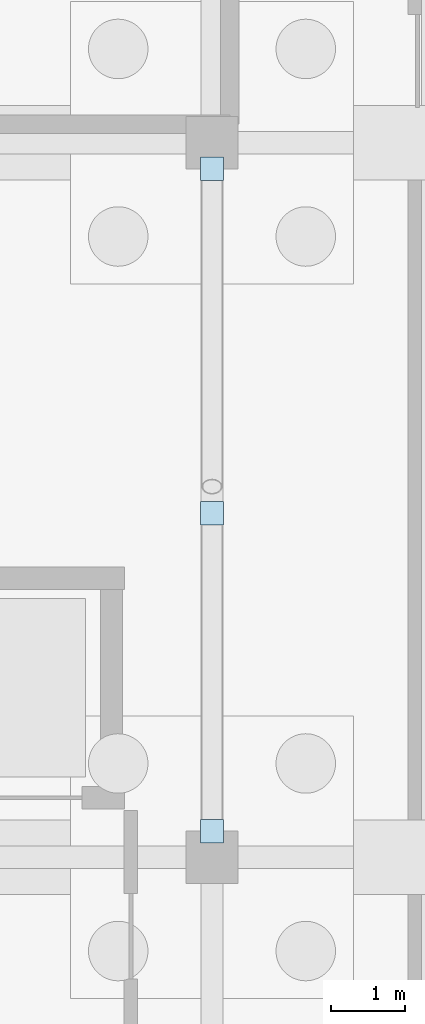
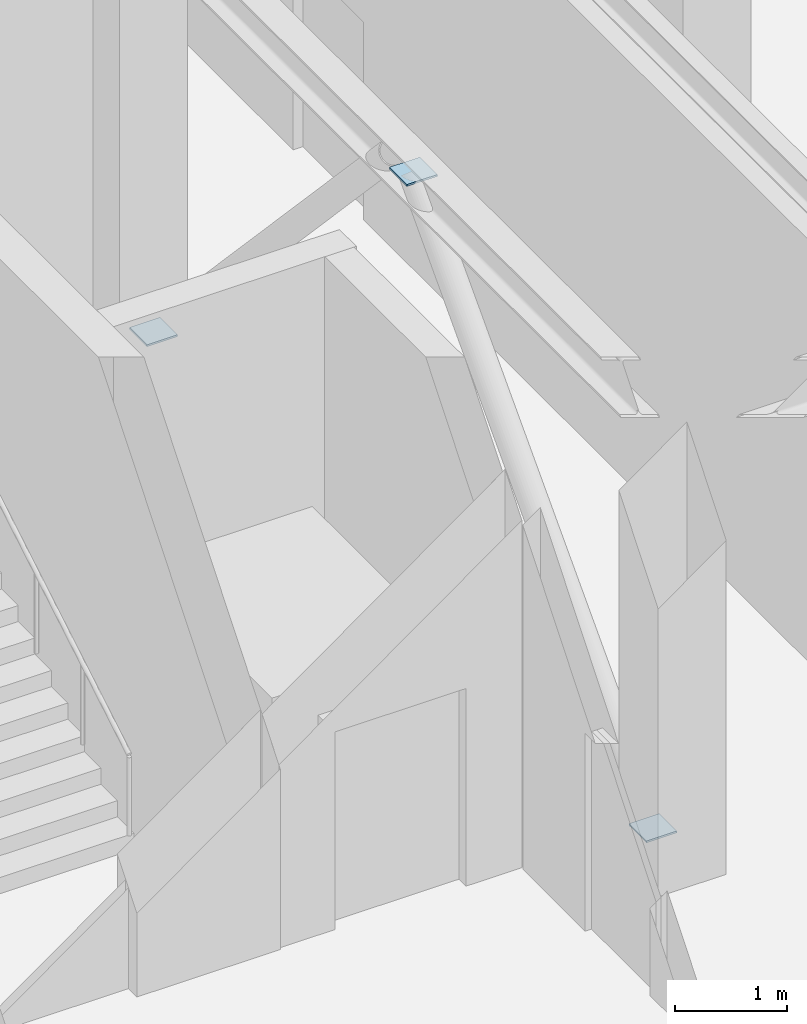
# One storey, part 20 of 33: 3 plates.
"""IFC4 building model written with IfcOpenShell, lengths in metres."""

import ifcopenshell
import ifcopenshell.guid

model = None  # the IFC model being written
_history = None  # IfcOwnerHistory: only IFC2X3 demands one
_inside = {}  # id of a spatial element -> (the spatial element, [elements in it])
_under = {}  # id of a project, library or spatial element -> (it, [spatial elements below it])
_declared = {}  # id of a project -> (the project, [libraries it declares])
_typed = {}  # id of a type object -> (the type object, [elements of that type])
_made_of = {}  # id of a material, layer set ... -> (it, [elements and type objects made of it])


def new_model(schema):
    """Start an empty IFC model of exactly this schema.

    Asked for "IFC4X3", IfcOpenShell would pick the latest addendum, in which some entities
    have other attributes; the version numbers below select the first issue.
    IFC2X3 requires an IfcOwnerHistory on every rooted entity: one is made here for all.
    """
    global model, _history
    if schema == "IFC4X3":
        model = ifcopenshell.file(schema_version=(4, 3, 0, 0))
    else:
        model = ifcopenshell.file(schema=schema)
    _inside.clear()
    _under.clear()
    _declared.clear()
    _typed.clear()
    _made_of.clear()
    _history = None
    if model.schema == "IFC2X3":
        org = make("IfcOrganization", Name="unknown")
        user = make(
            "IfcPersonAndOrganization",
            ThePerson=make("IfcPerson", FamilyName="unknown"),
            TheOrganization=org,
        )
        app = make(
            "IfcApplication",
            ApplicationDeveloper=org,
            Version="unknown",
            ApplicationFullName="unknown",
            ApplicationIdentifier="unknown",
        )
        _history = make(
            "IfcOwnerHistory",
            OwningUser=user,
            OwningApplication=app,
            ChangeAction="ADDED",
            CreationDate=0,
        )
    return model


def make(cls, **values):
    """One entity of the class cls with the attributes given. An attribute that is None is left unset."""
    return model.create_entity(
        cls, **{name: value for name, value in values.items() if value is not None}
    )


def rooted(cls, **values):
    """An entity with a GlobalId (a new one), such as an element, a storey or a relation."""
    return make(cls, GlobalId=ifcopenshell.guid.new(), OwnerHistory=_history, **values)


def si_unit(unit_type, name, prefix=None):
    """IfcSIUnit, for example si_unit("LENGTHUNIT", "METRE", prefix="MILLI")."""
    return make("IfcSIUnit", UnitType=unit_type, Prefix=prefix, Name=name)


def assignment(units):
    """IfcUnitAssignment: the units of a project."""
    return None if units is None else make("IfcUnitAssignment", Units=units)


def point(xyz):
    """IfcCartesianPoint."""
    return None if xyz is None else make("IfcCartesianPoint", Coordinates=xyz)


def direction(xyz):
    """IfcDirection."""
    return None if xyz is None else make("IfcDirection", DirectionRatios=xyz)


def frame(location, z_axis=None, x_axis=None):
    """IfcAxis2Placement3D, a coordinate frame: its origin and axes. An axis left out is left unset."""
    return make(
        "IfcAxis2Placement3D",
        Location=point(location),
        Axis=direction(z_axis),
        RefDirection=direction(x_axis),
    )


def frame_2d(location, x_axis=None):
    """IfcAxis2Placement2D, a coordinate frame in the plane: its origin and x axis."""
    return make(
        "IfcAxis2Placement2D", Location=point(location), RefDirection=direction(x_axis)
    )


def origin():
    """The frame at (0, 0, 0) with its axes left unset."""
    return frame((0.0, 0.0, 0.0))


def origin_2d():
    """The frame at (0, 0) in the plane with its x axis left unset."""
    return frame_2d((0.0, 0.0))


def place(relative_to, where):
    """IfcLocalPlacement: puts the frame where relative to a parent placement (None: the world)."""
    return make(
        "IfcLocalPlacement", PlacementRelTo=relative_to, RelativePlacement=where
    )


def context(
    kind, dimensions, precision=None, world=None, true_north=None, identifier=None
):
    """IfcGeometricRepresentationContext, for example the 3D "Model" context."""
    return make(
        "IfcGeometricRepresentationContext",
        ContextIdentifier=identifier,
        ContextType=kind,
        CoordinateSpaceDimension=dimensions,
        Precision=precision,
        WorldCoordinateSystem=world,
        TrueNorth=true_north,
    )


def subcontext(parent, identifier, kind, view, scale=None):
    """IfcGeometricRepresentationSubContext, for example "Body" below "Model"."""
    return make(
        "IfcGeometricRepresentationSubContext",
        ContextIdentifier=identifier,
        ContextType=kind,
        ParentContext=parent,
        TargetScale=scale,
        TargetView=view,
    )


def project(units=None, contexts=None):
    """IfcProject with its units and contexts."""
    return rooted(
        "IfcProject",
        Name="project",
        RepresentationContexts=contexts,
        UnitsInContext=assignment(units),
    )


def spatial(cls, under=None, at=None, **own):
    """A site, building, storey or space (cls), placed at a placement, below another one or the project."""
    s = rooted(cls, ObjectPlacement=at, **own)
    if under is not None:
        _under.setdefault(under.id(), (under, []))[1].append(s)
    return s


def profile(cls, at=None, kind="AREA", **sizes):
    """A parametric profile (cls). Its sizes go by their IFC names, for example OverallWidth=200.0."""
    return make(cls, ProfileType=kind, Position=at, **sizes)


def rectangle(**sizes):
    """IfcRectangleProfileDef."""
    return profile("IfcRectangleProfileDef", **sizes)


def extrude(swept, where, along, depth):
    """IfcExtrudedAreaSolid: the profile swept, set in the frame where, extruded along a direction by depth."""
    return make(
        "IfcExtrudedAreaSolid",
        SweptArea=swept,
        Position=where,
        ExtrudedDirection=direction(along),
        Depth=depth,
    )


def shape(context_of_items, identifier, shape_type, items):
    """IfcShapeRepresentation: the items that make up one representation, for example the "Body"."""
    return make(
        "IfcShapeRepresentation",
        ContextOfItems=context_of_items,
        RepresentationIdentifier=identifier,
        RepresentationType=shape_type,
        Items=items,
    )


def material(Name=None, Category=None):
    """IfcMaterial."""
    return make("IfcMaterial", Name=Name, Category=Category)


def layer(
    of_material, thickness, ventilated=None, Name=None, Category=None, Priority=None
):
    """IfcMaterialLayer: one layer of a wall or slab, of a material (None: an air gap)."""
    return make(
        "IfcMaterialLayer",
        Material=of_material,
        LayerThickness=thickness,
        IsVentilated=ventilated,
        Name=Name,
        Category=Category,
        Priority=Priority,
    )


def layer_set(layers, Name=None):
    """IfcMaterialLayerSet."""
    return make("IfcMaterialLayerSet", MaterialLayers=layers, LayerSetName=Name)


def made_of(thing, what):
    """Note that an element or type object is made of a material, layer set ...; save() writes the relation."""
    if what is not None:
        _made_of.setdefault(what.id(), (what, []))[1].append(thing)
    return thing


def type_object(cls, material=None, **own):
    """A type object (cls), such as IfcWallType, which elements share."""
    return made_of(rooted(cls, **own), material)


def element(
    cls,
    number,
    at=None,
    inside=None,
    cuts=None,
    type_object=None,
    material=None,
    context=None,
    identifier="Body",
    shape_type=None,
    held_by="IfcProductDefinitionShape",
    body=None,
    shapes=None,
    **own,
):
    """One element of the class cls, such as IfcWall. Its Tag is "e" and its number.

    at: its placement. inside: the storey or other place that contains it. cuts: it is an
    opening in that element (IfcRelVoidsElement). A single representation is given by context,
    identifier, shape_type and body (its items); several are given by shapes. held_by: the class
    of the entity that holds the representations. save() writes the other relations.
    """
    e = rooted(cls, Tag="e%d" % number, ObjectPlacement=at, **own)
    if body is not None:
        shapes = [shape(context, identifier, shape_type, body)]
    if shapes is not None:
        e.Representation = make(held_by, Representations=shapes)
    if inside is not None:
        _inside.setdefault(inside.id(), (inside, []))[1].append(e)
    if cuts is not None:
        rooted(
            "IfcRelVoidsElement", RelatingBuildingElement=cuts, RelatedOpeningElement=e
        )
    if type_object is not None:
        _typed.setdefault(type_object.id(), (type_object, []))[1].append(e)
    return made_of(e, material)


def aggregate(whole, parts):
    """IfcRelAggregates: a whole, such as a stair, and the parts it consists of."""
    return rooted("IfcRelAggregates", RelatingObject=whole, RelatedObjects=parts)


def save(model, path):
    """Write the relations noted so far, then the file.

    IfcRelAggregates (storeys below a building ...), IfcRelContainedInSpatialStructure (elements
    in a storey), IfcRelDefinesByType, IfcRelAssociatesMaterial and IfcRelDeclares: one each for
    every whole, place, type object, material and project.
    """
    for whole, parts in _under.values():
        aggregate(whole, parts)
    for where, things in _inside.values():
        rooted(
            "IfcRelContainedInSpatialStructure",
            RelatedElements=things,
            RelatingStructure=where,
        )
    for kind, things in _typed.values():
        rooted("IfcRelDefinesByType", RelatedObjects=things, RelatingType=kind)
    for what, things in _made_of.values():
        rooted("IfcRelAssociatesMaterial", RelatedObjects=things, RelatingMaterial=what)
    for by, libraries in _declared.values():
        rooted("IfcRelDeclares", RelatingContext=by, RelatedDefinitions=libraries)
    model.write(path)


model = new_model("IFC4")

# Units and contexts
model_context = context("Model", 3, precision=1e-05, world=origin(), true_north=direction((0.0, 1.0)))
body_context = subcontext(model_context, "Body", "Model", "MODEL_VIEW")
ifc_project = project(units=[si_unit("LENGTHUNIT", "METRE"), si_unit("AREAUNIT", "SQUARE_METRE"), si_unit("VOLUMEUNIT", "CUBIC_METRE"), si_unit("PLANEANGLEUNIT", "RADIAN"), si_unit("MASSUNIT", "GRAM", prefix="KILO")], contexts=[model_context])

# Site, building, storey
site_placement = place(None, origin())
site = spatial("IfcSite", under=ifc_project, at=site_placement, CompositionType="ELEMENT")
building_placement = place(site_placement, origin())
building = spatial("IfcBuilding", under=site, at=building_placement, Name="Nordkorset Police Headquarters", CompositionType="ELEMENT")
storey_placement = place(building_placement, frame((0.0, 0.0, -9.800048828125)))
storey = spatial("IfcBuildingStorey", under=building, at=storey_placement, Name="B02", CompositionType="ELEMENT", Elevation=-9.800048828125)

# Plates
ifc_material = material(Name="Steel S355J2", Category="steel")
ifc_layer = layer(ifc_material, 0.02001953125, Name="Steel S355J2")
ifc_layer_set = layer_set([ifc_layer], Name="Steel S355J2")
plate_type = type_object("IfcPlateType", Name="SteelPlate_20mm", PredefinedType="SHEET", material=ifc_layer_set)
for number, where, z_axis, x_axis, name in (
    (1, (8.39990234375, 38.75, 0.18994140625), (0.0, 0.0, 1.0), (1.0, 0.0, 0.0), "Hollow Section End Cap Plate BF-V3-A-B02-D1-0"),
    (2, (8.39990234375, 43.02001953125, 4.739990234375), (0.0, 0.0, 1.0), (1.0, 0.0, 0.0), "Hollow Section End Cap Plate BF-V3-A-B02-D1-1"),
    (3, (8.39990234375, 47.64990234375, 0.18994140625), (0.0, 0.0, 1.0), (1.0, 0.0, 0.0), "Hollow Section End Cap Plate BF-V3-A-B02-D2-0"),
):
    element("IfcPlate", number, at=place(storey_placement, frame(where, z_axis=z_axis, x_axis=x_axis)), inside=storey, type_object=plate_type, Name=name, PredefinedType="SHEET", context=body_context, shape_type="SweptSolid", body=[
        extrude(rectangle(XDim=0.31298828125, YDim=0.31298828125, at=origin_2d()), origin(), (0.0, 0.0, 1.0), 0.02001953125),
    ])

save(model, "model.ifc")
